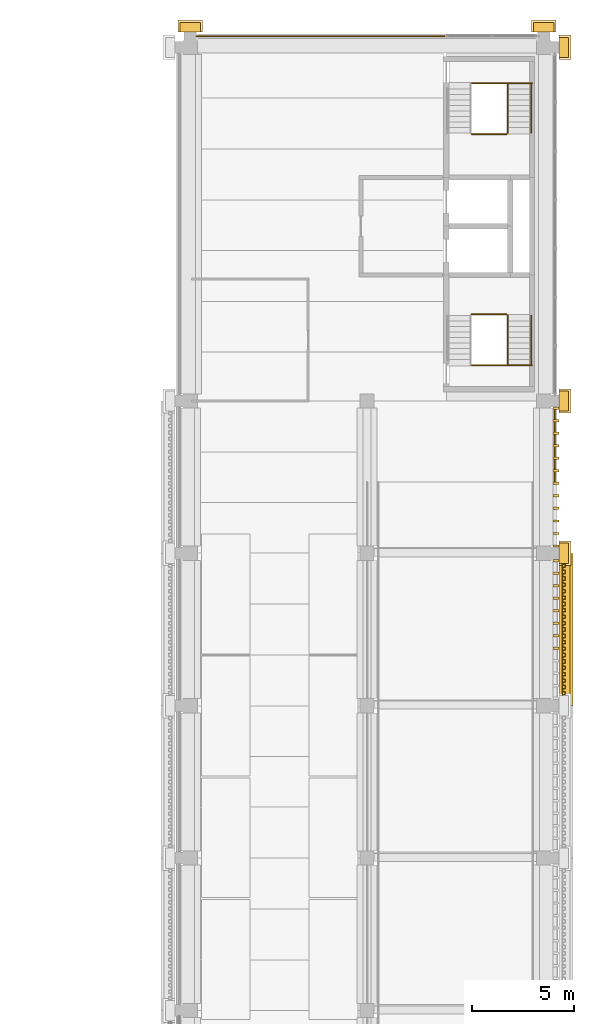
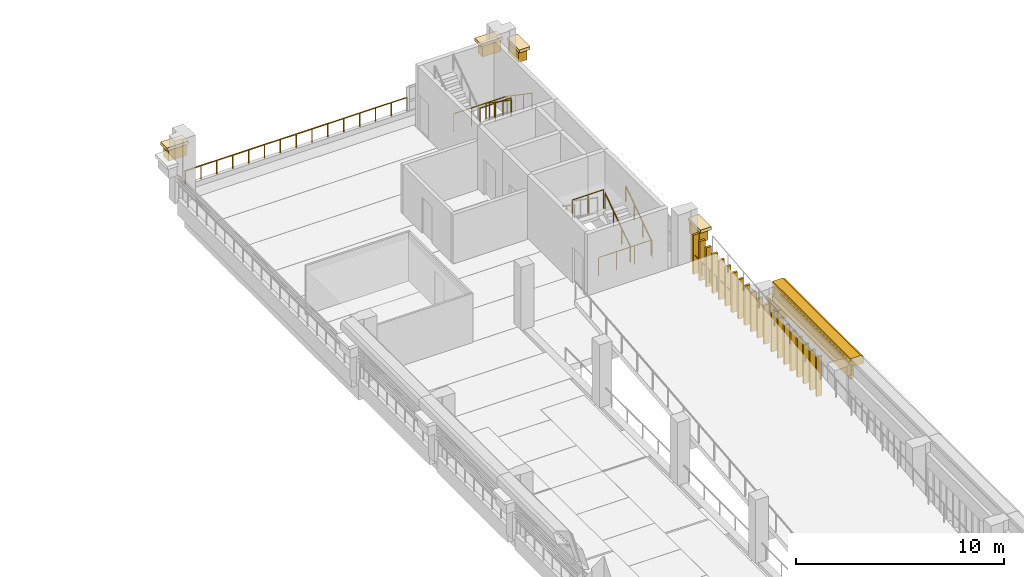
# One storey, part 23 of 25: 32 coverings, 10 railings.
"""IFC4 building model written with IfcOpenShell, lengths in metres."""

from ifc_helpers import new_model, si_unit, direction, frame, origin, origin_2d, place, context, subcontext, project, spatial, polyline, circle, outline, extrude, material, layer, layer_set, type_object, element, save


model = new_model("IFC4")

# Units and contexts
model_context = context("Model", 3, precision=1e-05, world=origin(), true_north=direction((0.0, 1.0)))
body_context = subcontext(model_context, "Body", "Model", "MODEL_VIEW")
ifc_project = project(units=[si_unit("LENGTHUNIT", "METRE"), si_unit("AREAUNIT", "SQUARE_METRE"), si_unit("VOLUMEUNIT", "CUBIC_METRE"), si_unit("PLANEANGLEUNIT", "RADIAN"), si_unit("MASSUNIT", "GRAM", prefix="KILO")], contexts=[model_context])

# Site, building, storey
site_placement = place(None, origin())
site = spatial("IfcSite", under=ifc_project, at=site_placement, CompositionType="ELEMENT")
building_placement = place(site_placement, origin())
building = spatial("IfcBuilding", under=site, at=building_placement, Name="Cour d'Honneur Mobility Palace", CompositionType="ELEMENT")
storey_placement = place(building_placement, frame((0.0, 0.0, 30.39990234375)))
storey = spatial("IfcBuildingStorey", under=building, at=storey_placement, Name="L08", CompositionType="ELEMENT", Elevation=30.39990234375)

# Railings
ifc_material_1 = material(Name="Painted steel", Category="steel")
railing_type_1 = type_object("IfcRailingType", Name="Balustrade", PredefinedType="BALUSTRADE", material=ifc_material_1)
railing_1_placement = place(storey_placement, frame((162.85009765625, 41.0, 0.300048828125)))
element("IfcRailing", 1, at=railing_1_placement, inside=storey, type_object=railing_type_1, Name="Balustrade BAL-403", PredefinedType="BALUSTRADE", context=body_context, shape_type="SweptSolid", body=[
    extrude(circle(Radius=0.02392578125, at=origin_2d()), frame((0.0, 0.0, 0.77587890625), z_axis=(0.0, 1.0, 0.0), x_axis=(-1.0, 0.0, 0.0)), (0.0, 0.0, 1.0), 3.699951171875),
    extrude(circle(Radius=0.02099609375, at=origin_2d()), origin(), (0.0, 0.0, 1.0), 0.751953125),
    extrude(circle(Radius=0.02099609375, at=origin_2d()), frame((0.0, 0.739990234375, 0.0)), (0.0, 0.0, 1.0), 0.751953125),
    extrude(circle(Radius=0.02099609375, at=origin_2d()), frame((0.0, 1.47998046875, 0.0)), (0.0, 0.0, 1.0), 0.751953125),
    extrude(circle(Radius=0.02099609375, at=origin_2d()), frame((0.0, 2.219970703125, 0.0)), (0.0, 0.0, 1.0), 0.751953125),
    extrude(circle(Radius=0.02099609375, at=origin_2d()), frame((0.0, 2.9599609375, 0.0)), (0.0, 0.0, 1.0), 0.751953125),
    extrude(circle(Radius=0.02099609375, at=origin_2d()), frame((0.0, 3.699951171875, 0.0)), (0.0, 0.0, 1.0), 0.751953125),
])
railing_2_placement = place(storey_placement, frame((157.5, 62.949951171875, 0.300048828125)))
element("IfcRailing", 2, at=railing_2_placement, inside=storey, type_object=railing_type_1, Name="Balustrade BAL-404", PredefinedType="BALUSTRADE", context=body_context, shape_type="SweptSolid", body=[
    extrude(circle(Radius=0.02392578125, at=origin_2d()), frame((0.0, 0.0, 0.77587890625), z_axis=(-1.0, 0.0, 0.0), x_axis=(0.0, -1.0, 0.0)), (0.0, 0.0, 1.0), 12.300048828125),
    extrude(circle(Radius=0.02099609375, at=origin_2d()), origin(), (0.0, 0.0, 1.0), 0.751953125),
    extrude(circle(Radius=0.02099609375, at=origin_2d()), frame((-0.878662109375, 0.0, 0.0)), (0.0, 0.0, 1.0), 0.751953125),
    extrude(circle(Radius=0.02099609375, at=origin_2d()), frame((-1.757080078125, 0.0, 0.0)), (0.0, 0.0, 1.0), 0.751953125),
    extrude(circle(Radius=0.02099609375, at=origin_2d()), frame((-2.6357421875, 0.0, 0.0)), (0.0, 0.0, 1.0), 0.751953125),
    extrude(circle(Radius=0.02099609375, at=origin_2d()), frame((-3.514404296875, 0.0, 0.0)), (0.0, 0.0, 1.0), 0.751953125),
    extrude(circle(Radius=0.02099609375, at=origin_2d()), frame((-4.392822265625, 0.0, 0.0)), (0.0, 0.0, 1.0), 0.751953125),
    extrude(circle(Radius=0.02099609375, at=origin_2d()), frame((-5.271484375, 0.0, 0.0)), (0.0, 0.0, 1.0), 0.751953125),
    extrude(circle(Radius=0.02099609375, at=origin_2d()), frame((-6.14990234375, 0.0, 0.0)), (0.0, 0.0, 1.0), 0.751953125),
    extrude(circle(Radius=0.02099609375, at=origin_2d()), frame((-7.028564453125, 0.0, 0.0)), (0.0, 0.0, 1.0), 0.751953125),
    extrude(circle(Radius=0.02099609375, at=origin_2d()), frame((-7.9072265625, 0.0, 0.0)), (0.0, 0.0, 1.0), 0.751953125),
    extrude(circle(Radius=0.02099609375, at=origin_2d()), frame((-8.78564453125, 0.0, 0.0)), (0.0, 0.0, 1.0), 0.751953125),
    extrude(circle(Radius=0.02099609375, at=origin_2d()), frame((-9.664306640625, 0.0, 0.0)), (0.0, 0.0, 1.0), 0.751953125),
    extrude(circle(Radius=0.02099609375, at=origin_2d()), frame((-10.54296875, 0.0, 0.0)), (0.0, 0.0, 1.0), 0.751953125),
    extrude(circle(Radius=0.02099609375, at=origin_2d()), frame((-11.42138671875, 0.0, 0.0)), (0.0, 0.0, 1.0), 0.751953125),
    extrude(circle(Radius=0.02099609375, at=origin_2d()), frame((-12.300048828125, 0.0, 0.0)), (0.0, 0.0, 1.0), 0.751953125),
])

# Coverings
ifc_material_2 = material(Name="Cast limestone", Category="masonry")
ifc_layer_1 = layer(ifc_material_2, 0.14990234375)
ifc_layer_set_1 = layer_set([ifc_layer_1], Name="Cast limestone")
covering_type_1 = type_object("IfcCoveringType", Name="Dentil course", PredefinedType="CLADDING", material=ifc_layer_set_1)
covering_1_placement = place(storey_placement, frame((0.0, 0.0, 3.150146484375)))
element("IfcCovering", 3, at=covering_1_placement, inside=storey, type_object=covering_type_1, Name="Dentil course DC-137", PredefinedType="CLADDING", context=body_context, shape_type="SweptSolid", body=[
    extrude(outline(polyline([(163.199951171875, 30.449951171875), (163.199951171875, 37.050048828125), (163.22998046875, 37.050048828125), (163.22998046875, 37.050048828125), (163.22998046875, 36.971435546875), (163.35009765625, 36.971435546875), (163.35009765625, 36.814208984375), (163.22998046875, 36.814208984375), (163.22998046875, 36.735595703125), (163.22998046875, 36.735595703125), (163.22998046875, 36.6572265625), (163.35009765625, 36.6572265625), (163.35009765625, 36.5), (163.22998046875, 36.5), (163.22998046875, 36.42138671875), (163.22998046875, 36.42138671875), (163.22998046875, 36.3427734375), (163.35009765625, 36.3427734375), (163.35009765625, 36.185791015625), (163.22998046875, 36.185791015625), (163.22998046875, 36.107177734375), (163.22998046875, 36.107177734375), (163.22998046875, 36.028564453125), (163.35009765625, 36.028564453125), (163.35009765625, 35.871337890625), (163.22998046875, 35.871337890625), (163.22998046875, 35.79296875), (163.22998046875, 35.79296875), (163.22998046875, 35.71435546875), (163.35009765625, 35.71435546875), (163.35009765625, 35.55712890625), (163.22998046875, 35.55712890625), (163.22998046875, 35.478515625), (163.22998046875, 35.478515625), (163.22998046875, 35.39990234375), (163.35009765625, 35.39990234375), (163.35009765625, 35.242919921875), (163.22998046875, 35.242919921875), (163.22998046875, 35.164306640625), (163.22998046875, 35.164306640625), (163.22998046875, 35.085693359375), (163.35009765625, 35.085693359375), (163.35009765625, 34.928466796875), (163.22998046875, 34.928466796875), (163.22998046875, 34.85009765625), (163.22998046875, 34.85009765625), (163.22998046875, 34.771484375), (163.35009765625, 34.771484375), (163.35009765625, 34.6142578125), (163.22998046875, 34.6142578125), (163.22998046875, 34.53564453125), (163.22998046875, 34.53564453125), (163.22998046875, 34.45703125), (163.35009765625, 34.45703125), (163.35009765625, 34.300048828125), (163.22998046875, 34.300048828125), (163.22998046875, 34.221435546875), (163.22998046875, 34.221435546875), (163.22998046875, 34.142822265625), (163.35009765625, 34.142822265625), (163.35009765625, 33.985595703125), (163.22998046875, 33.985595703125), (163.22998046875, 33.9072265625), (163.22998046875, 33.9072265625), (163.22998046875, 33.82861328125), (163.35009765625, 33.82861328125), (163.35009765625, 33.67138671875), (163.22998046875, 33.67138671875), (163.22998046875, 33.5927734375), (163.22998046875, 33.5927734375), (163.22998046875, 33.514404296875), (163.35009765625, 33.514404296875), (163.35009765625, 33.357177734375), (163.22998046875, 33.357177734375), (163.22998046875, 33.278564453125), (163.22998046875, 33.278564453125), (163.22998046875, 33.199951171875), (163.35009765625, 33.199951171875), (163.35009765625, 33.04296875), (163.22998046875, 33.04296875), (163.22998046875, 32.96435546875), (163.22998046875, 32.96435546875), (163.22998046875, 32.8857421875), (163.35009765625, 32.8857421875), (163.35009765625, 32.728515625), (163.22998046875, 32.728515625), (163.22998046875, 32.64990234375), (163.22998046875, 32.64990234375), (163.22998046875, 32.571533203125), (163.35009765625, 32.571533203125), (163.35009765625, 32.414306640625), (163.22998046875, 32.414306640625), (163.22998046875, 32.335693359375), (163.22998046875, 32.335693359375), (163.22998046875, 32.257080078125), (163.35009765625, 32.257080078125), (163.35009765625, 32.10009765625), (163.22998046875, 32.10009765625), (163.22998046875, 32.021484375), (163.22998046875, 32.021484375), (163.22998046875, 31.94287109375), (163.35009765625, 31.94287109375), (163.35009765625, 31.78564453125), (163.22998046875, 31.78564453125), (163.22998046875, 31.70703125), (163.22998046875, 31.70703125), (163.22998046875, 31.628662109375), (163.35009765625, 31.628662109375), (163.35009765625, 31.471435546875), (163.22998046875, 31.471435546875), (163.22998046875, 31.392822265625), (163.22998046875, 31.392822265625), (163.22998046875, 31.314208984375), (163.35009765625, 31.314208984375), (163.35009765625, 31.1572265625), (163.22998046875, 31.1572265625), (163.22998046875, 31.07861328125), (163.22998046875, 31.07861328125), (163.22998046875, 31.0), (163.35009765625, 31.0), (163.35009765625, 30.8427734375), (163.22998046875, 30.8427734375), (163.22998046875, 30.764404296875), (163.22998046875, 30.764404296875), (163.22998046875, 30.685791015625), (163.35009765625, 30.685791015625), (163.35009765625, 30.528564453125), (163.22998046875, 30.528564453125), (163.22998046875, 30.449951171875), (163.199951171875, 30.449951171875)])), origin(), (0.0, 0.0, 1.0), 0.14990234375),
])
ifc_material_3 = material(Name="Cast limestone", Category="masonry")
ifc_layer_2 = layer(ifc_material_3, 0.699951171875)
ifc_layer_set_2 = layer_set([ifc_layer_2], Name="Cast limestone")
covering_type_2 = type_object("IfcCoveringType", Name="Entablature", PredefinedType="CLADDING", material=ifc_layer_set_2)
covering_2_placement = place(storey_placement, frame((163.050048828125, 30.0, 2.60009765625), z_axis=(0.0, -1.0, 0.0), x_axis=(1.0, 0.0, 0.0)))
element("IfcCovering", 4, at=covering_2_placement, inside=storey, type_object=covering_type_2, Name="Entablature EN-137", PredefinedType="CLADDING", context=body_context, shape_type="SweptSolid", body=[
    extrude(outline(polyline([(0.0, 0.0), (0.14990234375, 0.0), (0.14990234375, 0.699951171875), (0.699951171875, 0.699951171875), (0.699951171875, 1.10009765625), (0.550048828125, 1.199951171875), (0.0, 1.199951171875), (0.0, 0.0)])), origin(), (0.0, 0.0, -1.0), 7.5),
])

# Railings
ifc_material_4 = material(Name="Painted steel", Category="steel")
railing_type_2 = type_object("IfcRailingType", Name="Guardrail 1100", PredefinedType="GUARDRAIL", material=ifc_material_4)
railing_3_placement = place(storey_placement, frame((158.75, 46.7548828125, 0.0)))
element("IfcRailing", 5, at=railing_3_placement, inside=storey, type_object=railing_type_2, Name="Guard ST-CE1", PredefinedType="GUARDRAIL", context=body_context, shape_type="SweptSolid", body=[
    extrude(circle(Radius=0.02490234375, at=origin_2d()), frame((0.0, 0.0, 1.0751953125), z_axis=(1.0, 0.0, 0.0), x_axis=(0.0, 1.0, 0.0)), (0.0, 0.0, 1.0), 2.97509765625),
    extrude(circle(Radius=0.02099609375, at=origin_2d()), origin(), (0.0, 0.0, 1.0), 1.050048828125),
    extrude(circle(Radius=0.02099609375, at=origin_2d()), frame((0.99169921875, 0.0, 0.0)), (0.0, 0.0, 1.0), 1.050048828125),
    extrude(circle(Radius=0.02099609375, at=origin_2d()), frame((1.9833984375, 0.0, 0.0)), (0.0, 0.0, 1.0), 1.050048828125),
    extrude(circle(Radius=0.02099609375, at=origin_2d()), frame((2.97509765625, 0.0, 0.0)), (0.0, 0.0, 1.0), 1.050048828125),
])
railing_4_placement = place(storey_placement, frame((158.75, 49.264892578125, 1.85009765625)))
element("IfcRailing", 6, at=railing_4_placement, inside=storey, type_object=railing_type_2, Name="Landing guard ST-CE1", PredefinedType="GUARDRAIL", context=body_context, shape_type="SweptSolid", body=[
    extrude(circle(Radius=0.02490234375, at=origin_2d()), frame((0.0, 0.0, 1.0751953125), z_axis=(1.0, 0.0, 0.0), x_axis=(0.0, 1.0, 0.0)), (0.0, 0.0, 1.0), 1.72509765625),
    extrude(circle(Radius=0.02099609375, at=origin_2d()), origin(), (0.0, 0.0, 1.0), 1.050048828125),
    extrude(circle(Radius=0.02099609375, at=origin_2d()), frame((0.862548828125, 0.0, 0.0)), (0.0, 0.0, 1.0), 1.050048828125),
    extrude(circle(Radius=0.02099609375, at=origin_2d()), frame((1.72509765625, 0.0, 0.0)), (0.0, 0.0, 1.0), 1.050048828125),
])
railing_5_placement = place(storey_placement, frame((158.75, 60.64501953125, 0.0)))
element("IfcRailing", 7, at=railing_5_placement, inside=storey, type_object=railing_type_2, Name="Guard ST-CE2", PredefinedType="GUARDRAIL", context=body_context, shape_type="SweptSolid", body=[
    extrude(circle(Radius=0.02490234375, at=origin_2d()), frame((0.0, 0.0, 1.0751953125), z_axis=(1.0, 0.0, 0.0), x_axis=(0.0, 1.0, 0.0)), (0.0, 0.0, 1.0), 2.97509765625),
    extrude(circle(Radius=0.02099609375, at=origin_2d()), origin(), (0.0, 0.0, 1.0), 1.050048828125),
    extrude(circle(Radius=0.02099609375, at=origin_2d()), frame((0.99169921875, 0.0, 0.0)), (0.0, 0.0, 1.0), 1.050048828125),
    extrude(circle(Radius=0.02099609375, at=origin_2d()), frame((1.9833984375, 0.0, 0.0)), (0.0, 0.0, 1.0), 1.050048828125),
    extrude(circle(Radius=0.02099609375, at=origin_2d()), frame((2.97509765625, 0.0, 0.0)), (0.0, 0.0, 1.0), 1.050048828125),
])
railing_6_placement = place(storey_placement, frame((158.75, 58.135009765625, 1.85009765625)))
element("IfcRailing", 8, at=railing_6_placement, inside=storey, type_object=railing_type_2, Name="Landing guard ST-CE2", PredefinedType="GUARDRAIL", context=body_context, shape_type="SweptSolid", body=[
    extrude(circle(Radius=0.02490234375, at=origin_2d()), frame((0.0, 0.0, 1.0751953125), z_axis=(1.0, 0.0, 0.0), x_axis=(0.0, 1.0, 0.0)), (0.0, 0.0, 1.0), 1.72509765625),
    extrude(circle(Radius=0.02099609375, at=origin_2d()), origin(), (0.0, 0.0, 1.0), 1.050048828125),
    extrude(circle(Radius=0.02099609375, at=origin_2d()), frame((0.862548828125, 0.0, 0.0)), (0.0, 0.0, 1.0), 1.050048828125),
    extrude(circle(Radius=0.02099609375, at=origin_2d()), frame((1.72509765625, 0.0, 0.0)), (0.0, 0.0, 1.0), 1.050048828125),
])
ifc_material_5 = material(Name="Stainless steel", Category="steel")
railing_type_3 = type_object("IfcRailingType", Name="Handrail round 50", PredefinedType="HANDRAIL", material=ifc_material_5)
for number, where, name in (
    (9, (161.675048828125, 46.77490234375, 0.18505859375), "Handrail ST-CE1"),
    (10, (160.52490234375, 46.77490234375, 0.18505859375), "Handrail ST-CE1"),
):
    element("IfcRailing", number, at=place(storey_placement, frame(where)), inside=storey, type_object=railing_type_3, Name=name, PredefinedType="HANDRAIL", context=body_context, shape_type="SweptSolid", body=[
        extrude(circle(Radius=0.02490234375, at=origin_2d()), frame((0.0, 0.0, 0.89501953125), z_axis=(0.0, 0.824945253146, 0.565212640793), x_axis=(-1.0, 0.0, 0.0)), (0.0, 0.0, 1.0), 2.94580078125),
        extrude(circle(Radius=0.02099609375, at=origin_2d()), origin(), (0.0, 0.0, 1.0), 0.869873046875),
        extrude(circle(Radius=0.02099609375, at=origin_2d()), frame((0.0, 0.81005859375, 0.554931640625)), (0.0, 0.0, 1.0), 0.869873046875),
        extrude(circle(Radius=0.02099609375, at=origin_2d()), frame((0.0, 1.6201171875, 1.110107421875)), (0.0, 0.0, 1.0), 0.869873046875),
        extrude(circle(Radius=0.02099609375, at=origin_2d()), frame((0.0, 2.43017578125, 1.6650390625)), (0.0, 0.0, 1.0), 0.869873046875),
    ])
for number, where, name in (
    (11, (161.675048828125, 60.625, 0.18505859375), "Handrail ST-CE2"),
    (12, (160.52490234375, 60.625, 0.18505859375), "Handrail ST-CE2"),
):
    element("IfcRailing", number, at=place(storey_placement, frame(where)), inside=storey, type_object=railing_type_3, Name=name, PredefinedType="HANDRAIL", context=body_context, shape_type="SweptSolid", body=[
        extrude(circle(Radius=0.02490234375, at=origin_2d()), frame((0.0, 0.0, 0.89501953125), z_axis=(0.0, -0.8249187745, 0.56525128525), x_axis=(1.0, 0.0, 0.0)), (0.0, 0.0, 1.0), 2.945556640625),
        extrude(circle(Radius=0.02099609375, at=origin_2d()), origin(), (0.0, 0.0, 1.0), 0.869873046875),
        extrude(circle(Radius=0.02099609375, at=origin_2d()), frame((0.0, -0.81005859375, 0.554931640625)), (0.0, 0.0, 1.0), 0.869873046875),
        extrude(circle(Radius=0.02099609375, at=origin_2d()), frame((0.0, -1.619873046875, 1.110107421875)), (0.0, 0.0, 1.0), 0.869873046875),
        extrude(circle(Radius=0.02099609375, at=origin_2d()), frame((0.0, -2.429931640625, 1.6650390625)), (0.0, 0.0, 1.0), 0.869873046875),
    ])

# Coverings
ifc_material_6 = material(Name="Cast limestone", Category="masonry")
ifc_layer_3 = layer(ifc_material_6, 0.1201171875)
ifc_layer_set_3 = layer_set([ifc_layer_3], Name="Cast limestone")
covering_type_3 = type_object("IfcCoveringType", Name="Pilaster capital", PredefinedType="CLADDING", material=ifc_layer_set_3)
covering_3_placement = place(storey_placement, frame((0.0, 0.0, 1.800048828125)))
element("IfcCovering", 13, at=covering_3_placement, inside=storey, type_object=covering_type_3, Name="Pilaster capital PK-83", PredefinedType="CLADDING", context=body_context, shape_type="SweptSolid", body=[
    extrude(outline(polyline([(163.050048828125, 37.0), (163.050048828125, 38.0), (163.52001953125, 38.0), (163.52001953125, 37.0), (163.050048828125, 37.0)])), origin(), (0.0, 0.0, 1.0), 0.6201171875),
])
covering_4_placement = place(storey_placement, frame((0.0, 0.0, 2.420166015625)))
element("IfcCovering", 14, at=covering_4_placement, inside=storey, type_object=covering_type_3, Name="Pilaster capital PK-84", PredefinedType="CLADDING", context=body_context, shape_type="SweptSolid", body=[
    extrude(outline(polyline([(163.050048828125, 36.89990234375), (163.050048828125, 38.10009765625), (163.64990234375, 38.10009765625), (163.64990234375, 36.89990234375), (163.050048828125, 36.89990234375)])), origin(), (0.0, 0.0, 1.0), 0.179931640625),
])
covering_5_placement = place(storey_placement, frame((0.0, 0.0, 1.800048828125)))
element("IfcCovering", 15, at=covering_5_placement, inside=storey, type_object=covering_type_3, Name="Pilaster capital PK-85", PredefinedType="CLADDING", context=body_context, shape_type="SweptSolid", body=[
    extrude(outline(polyline([(163.050048828125, 44.5), (163.050048828125, 45.5), (163.52001953125, 45.5), (163.52001953125, 44.5), (163.050048828125, 44.5)])), origin(), (0.0, 0.0, 1.0), 0.6201171875),
])
covering_6_placement = place(storey_placement, frame((0.0, 0.0, 2.420166015625)))
element("IfcCovering", 16, at=covering_6_placement, inside=storey, type_object=covering_type_3, Name="Pilaster capital PK-86", PredefinedType="CLADDING", context=body_context, shape_type="SweptSolid", body=[
    extrude(outline(polyline([(163.050048828125, 44.39990234375), (163.050048828125, 45.60009765625), (163.64990234375, 45.60009765625), (163.64990234375, 44.39990234375), (163.050048828125, 44.39990234375)])), origin(), (0.0, 0.0, 1.0), 0.179931640625),
])
covering_7_placement = place(storey_placement, frame((0.0, 0.0, 1.800048828125)))
element("IfcCovering", 17, at=covering_7_placement, inside=storey, type_object=covering_type_3, Name="Pilaster capital PK-87", PredefinedType="CLADDING", context=body_context, shape_type="SweptSolid", body=[
    extrude(outline(polyline([(163.050048828125, 61.89990234375), (163.050048828125, 62.89990234375), (163.52001953125, 62.89990234375), (163.52001953125, 61.89990234375), (163.050048828125, 61.89990234375)])), origin(), (0.0, 0.0, 1.0), 0.6201171875),
])
covering_8_placement = place(storey_placement, frame((0.0, 0.0, 2.420166015625)))
element("IfcCovering", 18, at=covering_8_placement, inside=storey, type_object=covering_type_3, Name="Pilaster capital PK-88", PredefinedType="CLADDING", context=body_context, shape_type="SweptSolid", body=[
    extrude(outline(polyline([(163.050048828125, 61.800048828125), (163.050048828125, 63.0), (163.64990234375, 63.0), (163.64990234375, 61.800048828125), (163.050048828125, 61.800048828125)])), origin(), (0.0, 0.0, 1.0), 0.179931640625),
])
covering_9_placement = place(storey_placement, frame((0.0, 0.0, 1.800048828125)))
element("IfcCovering", 19, at=covering_9_placement, inside=storey, type_object=covering_type_3, Name="Pilaster capital PK-123", PredefinedType="CLADDING", context=body_context, shape_type="SweptSolid", body=[
    extrude(outline(polyline([(145.39990234375, 63.14990234375), (144.39990234375, 63.14990234375), (144.39990234375, 63.6201171875), (145.39990234375, 63.6201171875), (145.39990234375, 63.14990234375)])), origin(), (0.0, 0.0, 1.0), 0.6201171875),
])
covering_10_placement = place(storey_placement, frame((0.0, 0.0, 2.420166015625)))
element("IfcCovering", 20, at=covering_10_placement, inside=storey, type_object=covering_type_3, Name="Pilaster capital PK-124", PredefinedType="CLADDING", context=body_context, shape_type="SweptSolid", body=[
    extrude(outline(polyline([(145.5, 63.14990234375), (144.300048828125, 63.14990234375), (144.300048828125, 63.75), (145.5, 63.75), (145.5, 63.14990234375)])), origin(), (0.0, 0.0, 1.0), 0.179931640625),
])
covering_11_placement = place(storey_placement, frame((0.0, 0.0, 1.800048828125)))
element("IfcCovering", 21, at=covering_11_placement, inside=storey, type_object=covering_type_3, Name="Pilaster capital PK-211", PredefinedType="CLADDING", context=body_context, shape_type="SweptSolid", body=[
    extrude(outline(polyline([(162.800048828125, 63.14990234375), (161.800048828125, 63.14990234375), (161.800048828125, 63.6201171875), (162.800048828125, 63.6201171875), (162.800048828125, 63.14990234375)])), origin(), (0.0, 0.0, 1.0), 0.6201171875),
])
covering_12_placement = place(storey_placement, frame((0.0, 0.0, 2.420166015625)))
element("IfcCovering", 22, at=covering_12_placement, inside=storey, type_object=covering_type_3, Name="Pilaster capital PK-212", PredefinedType="CLADDING", context=body_context, shape_type="SweptSolid", body=[
    extrude(outline(polyline([(162.89990234375, 63.14990234375), (161.699951171875, 63.14990234375), (161.699951171875, 63.75), (162.89990234375, 63.75), (162.89990234375, 63.14990234375)])), origin(), (0.0, 0.0, 1.0), 0.179931640625),
])
ifc_material_7 = material(Name="Cast limestone", Category="masonry")
ifc_layer_4 = layer(ifc_material_7, 0.1201171875)
ifc_layer_set_4 = layer_set([ifc_layer_4], Name="Cast limestone")
covering_type_4 = type_object("IfcCoveringType", Name="Ramp screen fin", PredefinedType="CLADDING", material=ifc_layer_set_4)
covering_13_placement = place(storey_placement, origin())
element("IfcCovering", 23, at=covering_13_placement, inside=storey, type_object=covering_type_4, Name="Ramp screen fin E5.4 L08 5", PredefinedType="CLADDING", context=body_context, shape_type="SweptSolid", body=[
    extrude(outline(polyline([(162.75, 32.765380859375), (162.75, 32.885498046875), (163.050048828125, 32.885498046875), (163.050048828125, 32.765380859375), (162.75, 32.765380859375)])), origin(), (0.0, 0.0, 1.0), 2.300048828125),
])
covering_14_placement = place(storey_placement, origin())
element("IfcCovering", 24, at=covering_14_placement, inside=storey, type_object=covering_type_4, Name="Ramp screen fin E5.4 L08 6", PredefinedType="CLADDING", context=body_context, shape_type="SweptSolid", body=[
    extrude(outline(polyline([(162.75, 33.3818359375), (162.75, 33.501708984375), (163.050048828125, 33.501708984375), (163.050048828125, 33.3818359375), (162.75, 33.3818359375)])), origin(), (0.0, 0.0, 1.0), 2.300048828125),
])
covering_15_placement = place(storey_placement, origin())
element("IfcCovering", 25, at=covering_15_placement, inside=storey, type_object=covering_type_4, Name="Ramp screen fin E5.4 L08 7", PredefinedType="CLADDING", context=body_context, shape_type="SweptSolid", body=[
    extrude(outline(polyline([(162.75, 33.998291015625), (162.75, 34.1181640625), (163.050048828125, 34.1181640625), (163.050048828125, 33.998291015625), (162.75, 33.998291015625)])), origin(), (0.0, 0.0, 1.0), 2.300048828125),
])
covering_16_placement = place(storey_placement, origin())
element("IfcCovering", 26, at=covering_16_placement, inside=storey, type_object=covering_type_4, Name="Ramp screen fin E5.4 L08 8", PredefinedType="CLADDING", context=body_context, shape_type="SweptSolid", body=[
    extrude(outline(polyline([(162.75, 34.614501953125), (162.75, 34.734619140625), (163.050048828125, 34.734619140625), (163.050048828125, 34.614501953125), (162.75, 34.614501953125)])), origin(), (0.0, 0.0, 1.0), 2.300048828125),
])
covering_17_placement = place(storey_placement, origin())
element("IfcCovering", 27, at=covering_17_placement, inside=storey, type_object=covering_type_4, Name="Ramp screen fin E5.4 L08 9", PredefinedType="CLADDING", context=body_context, shape_type="SweptSolid", body=[
    extrude(outline(polyline([(162.75, 35.23095703125), (162.75, 35.350830078125), (163.050048828125, 35.350830078125), (163.050048828125, 35.23095703125), (162.75, 35.23095703125)])), origin(), (0.0, 0.0, 1.0), 2.300048828125),
])
covering_18_placement = place(storey_placement, origin())
element("IfcCovering", 28, at=covering_18_placement, inside=storey, type_object=covering_type_4, Name="Ramp screen fin E5.4 L08 10", PredefinedType="CLADDING", context=body_context, shape_type="SweptSolid", body=[
    extrude(outline(polyline([(162.75, 35.84716796875), (162.75, 35.96728515625), (163.050048828125, 35.96728515625), (163.050048828125, 35.84716796875), (162.75, 35.84716796875)])), origin(), (0.0, 0.0, 1.0), 2.300048828125),
])
covering_19_placement = place(storey_placement, origin())
element("IfcCovering", 29, at=covering_19_placement, inside=storey, type_object=covering_type_4, Name="Ramp screen fin E5.4 L08 11", PredefinedType="CLADDING", context=body_context, shape_type="SweptSolid", body=[
    extrude(outline(polyline([(162.75, 36.463623046875), (162.75, 36.583740234375), (163.050048828125, 36.583740234375), (163.050048828125, 36.463623046875), (162.75, 36.463623046875)])), origin(), (0.0, 0.0, 1.0), 2.300048828125),
])
covering_20_placement = place(storey_placement, origin())
element("IfcCovering", 30, at=covering_20_placement, inside=storey, type_object=covering_type_4, Name="Ramp screen fin E5.4 L08 12", PredefinedType="CLADDING", context=body_context, shape_type="SweptSolid", body=[
    extrude(outline(polyline([(162.75, 37.080078125), (162.75, 37.199951171875), (163.050048828125, 37.199951171875), (163.050048828125, 37.080078125), (162.75, 37.080078125)])), origin(), (0.0, 0.0, 1.0), 2.300048828125),
])
covering_21_placement = place(storey_placement, origin())
element("IfcCovering", 31, at=covering_21_placement, inside=storey, type_object=covering_type_4, Name="Ramp screen fin E5.5 L08 1", PredefinedType="CLADDING", context=body_context, shape_type="SweptSolid", body=[
    extrude(outline(polyline([(162.75, 37.800048828125), (162.75, 37.919921875), (163.050048828125, 37.919921875), (163.050048828125, 37.800048828125), (162.75, 37.800048828125)])), origin(), (0.0, 0.0, 1.0), 2.300048828125),
])
covering_22_placement = place(storey_placement, origin())
element("IfcCovering", 32, at=covering_22_placement, inside=storey, type_object=covering_type_4, Name="Ramp screen fin E5.5 L08 2", PredefinedType="CLADDING", context=body_context, shape_type="SweptSolid", body=[
    extrude(outline(polyline([(162.75, 38.416259765625), (162.75, 38.536376953125), (163.050048828125, 38.536376953125), (163.050048828125, 38.416259765625), (162.75, 38.416259765625)])), origin(), (0.0, 0.0, 1.0), 2.300048828125),
])
covering_23_placement = place(storey_placement, origin())
element("IfcCovering", 33, at=covering_23_placement, inside=storey, type_object=covering_type_4, Name="Ramp screen fin E5.5 L08 3", PredefinedType="CLADDING", context=body_context, shape_type="SweptSolid", body=[
    extrude(outline(polyline([(162.75, 39.03271484375), (162.75, 39.15283203125), (163.050048828125, 39.15283203125), (163.050048828125, 39.03271484375), (162.75, 39.03271484375)])), origin(), (0.0, 0.0, 1.0), 2.300048828125),
])
covering_24_placement = place(storey_placement, origin())
element("IfcCovering", 34, at=covering_24_placement, inside=storey, type_object=covering_type_4, Name="Ramp screen fin E5.5 L08 4", PredefinedType="CLADDING", context=body_context, shape_type="SweptSolid", body=[
    extrude(outline(polyline([(162.75, 39.649169921875), (162.75, 39.76904296875), (163.050048828125, 39.76904296875), (163.050048828125, 39.649169921875), (162.75, 39.649169921875)])), origin(), (0.0, 0.0, 1.0), 2.300048828125),
])
covering_25_placement = place(storey_placement, origin())
element("IfcCovering", 35, at=covering_25_placement, inside=storey, type_object=covering_type_4, Name="Ramp screen fin E5.5 L08 5", PredefinedType="CLADDING", context=body_context, shape_type="SweptSolid", body=[
    extrude(outline(polyline([(162.75, 40.265380859375), (162.75, 40.385498046875), (163.050048828125, 40.385498046875), (163.050048828125, 40.265380859375), (162.75, 40.265380859375)])), origin(), (0.0, 0.0, 1.0), 2.300048828125),
])
covering_26_placement = place(storey_placement, origin())
element("IfcCovering", 36, at=covering_26_placement, inside=storey, type_object=covering_type_4, Name="Ramp screen fin E5.5 L08 6", PredefinedType="CLADDING", context=body_context, shape_type="SweptSolid", body=[
    extrude(outline(polyline([(162.75, 40.8818359375), (162.75, 41.001708984375), (163.050048828125, 41.001708984375), (163.050048828125, 40.8818359375), (162.75, 40.8818359375)])), origin(), (0.0, 0.0, 1.0), 2.300048828125),
])
covering_27_placement = place(storey_placement, origin())
element("IfcCovering", 37, at=covering_27_placement, inside=storey, type_object=covering_type_4, Name="Ramp screen fin E5.5 L08 7", PredefinedType="CLADDING", context=body_context, shape_type="SweptSolid", body=[
    extrude(outline(polyline([(162.75, 41.498291015625), (162.75, 41.6181640625), (163.050048828125, 41.6181640625), (163.050048828125, 41.498291015625), (162.75, 41.498291015625)])), origin(), (0.0, 0.0, 1.0), 2.300048828125),
])
covering_28_placement = place(storey_placement, origin())
element("IfcCovering", 38, at=covering_28_placement, inside=storey, type_object=covering_type_4, Name="Ramp screen fin E5.5 L08 8", PredefinedType="CLADDING", context=body_context, shape_type="SweptSolid", body=[
    extrude(outline(polyline([(162.75, 42.114501953125), (162.75, 42.234619140625), (163.050048828125, 42.234619140625), (163.050048828125, 42.114501953125), (162.75, 42.114501953125)])), origin(), (0.0, 0.0, 1.0), 2.300048828125),
])
covering_29_placement = place(storey_placement, origin())
element("IfcCovering", 39, at=covering_29_placement, inside=storey, type_object=covering_type_4, Name="Ramp screen fin E5.5 L08 9", PredefinedType="CLADDING", context=body_context, shape_type="SweptSolid", body=[
    extrude(outline(polyline([(162.75, 42.73095703125), (162.75, 42.850830078125), (163.050048828125, 42.850830078125), (163.050048828125, 42.73095703125), (162.75, 42.73095703125)])), origin(), (0.0, 0.0, 1.0), 2.300048828125),
])
covering_30_placement = place(storey_placement, origin())
element("IfcCovering", 40, at=covering_30_placement, inside=storey, type_object=covering_type_4, Name="Ramp screen fin E5.5 L08 10", PredefinedType="CLADDING", context=body_context, shape_type="SweptSolid", body=[
    extrude(outline(polyline([(162.75, 43.34716796875), (162.75, 43.46728515625), (163.050048828125, 43.46728515625), (163.050048828125, 43.34716796875), (162.75, 43.34716796875)])), origin(), (0.0, 0.0, 1.0), 2.300048828125),
])
covering_31_placement = place(storey_placement, origin())
element("IfcCovering", 41, at=covering_31_placement, inside=storey, type_object=covering_type_4, Name="Ramp screen fin E5.5 L08 11", PredefinedType="CLADDING", context=body_context, shape_type="SweptSolid", body=[
    extrude(outline(polyline([(162.75, 43.963623046875), (162.75, 44.083740234375), (163.050048828125, 44.083740234375), (163.050048828125, 43.963623046875), (162.75, 43.963623046875)])), origin(), (0.0, 0.0, 1.0), 2.300048828125),
])
covering_32_placement = place(storey_placement, origin())
element("IfcCovering", 42, at=covering_32_placement, inside=storey, type_object=covering_type_4, Name="Ramp screen fin E5.5 L08 12", PredefinedType="CLADDING", context=body_context, shape_type="SweptSolid", body=[
    extrude(outline(polyline([(162.75, 44.580078125), (162.75, 44.699951171875), (163.050048828125, 44.699951171875), (163.050048828125, 44.580078125), (162.75, 44.580078125)])), origin(), (0.0, 0.0, 1.0), 2.300048828125),
])

save(model, "model.ifc")
